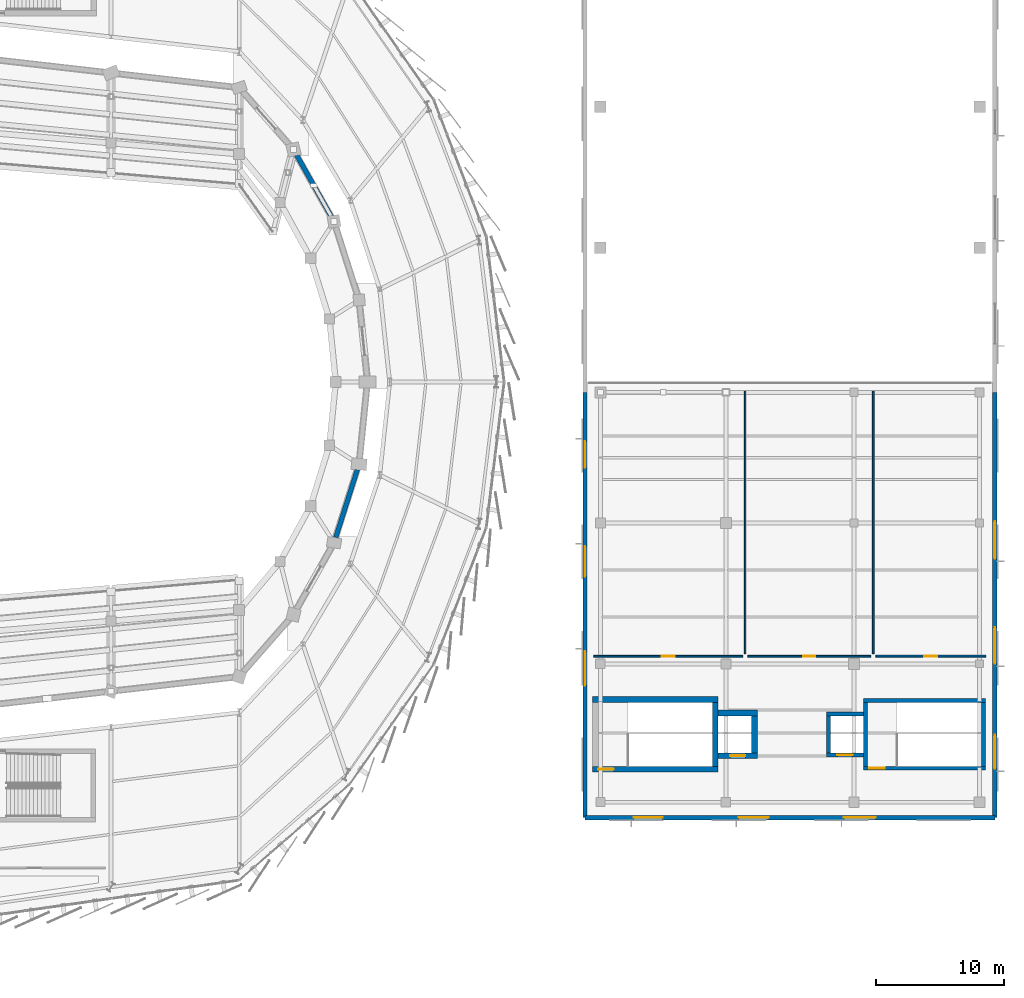
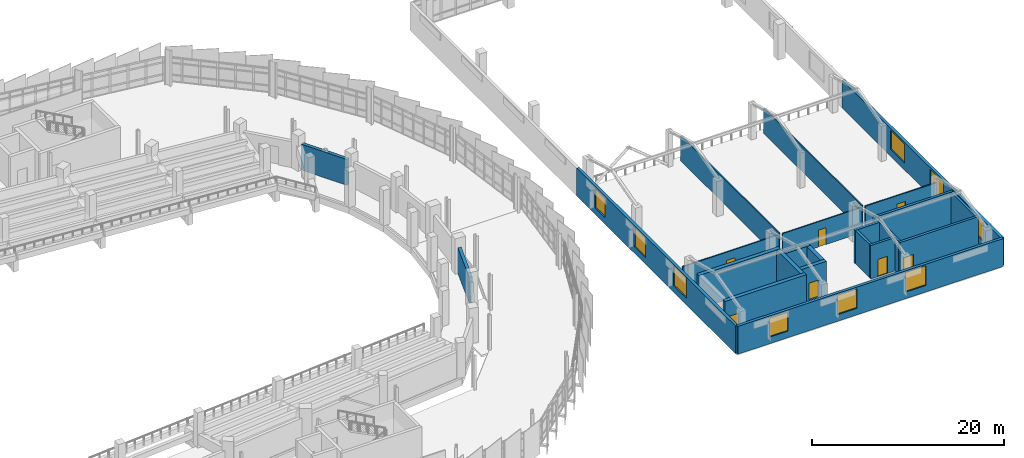
# One storey, part 104 of 120: 23 walls, 9 windows, 7 doors, 16 openings.
"""IFC4 building model written with IfcOpenShell, lengths in metres."""

from ifc_helpers import new_model, si_unit, direction, frame, frame_2d, origin, place, context, subcontext, project, spatial, rectangle, extrude, material, layer, layer_set, type_object, element, fill, save


model = new_model("IFC4")

# Units and contexts
model_context = context("Model", 3, precision=1e-05, world=origin(), true_north=direction((0.0, 1.0)))
body_context = subcontext(model_context, "Body", "Model", "MODEL_VIEW")
ifc_project = project(units=[si_unit("LENGTHUNIT", "METRE"), si_unit("AREAUNIT", "SQUARE_METRE"), si_unit("VOLUMEUNIT", "CUBIC_METRE"), si_unit("PLANEANGLEUNIT", "RADIAN"), si_unit("MASSUNIT", "GRAM", prefix="KILO")], contexts=[model_context])

# Site, building, storey
site_placement = place(None, origin())
site = spatial("IfcSite", under=ifc_project, at=site_placement, CompositionType="ELEMENT")
building_placement = place(site_placement, origin())
building = spatial("IfcBuilding", under=site, at=building_placement, Name="Sohan Crest Arena", CompositionType="ELEMENT")
storey_placement = place(building_placement, frame((0.0, 0.0, 13.5)))
storey = spatial("IfcBuildingStorey", under=building, at=storey_placement, Name="L03", CompositionType="ELEMENT", Elevation=13.5)

# Wall, openings, windows
ifc_material_1 = material(Name="Honed dark basalt stone cladding wall", Category="masonry")
ifc_layer_1 = layer(ifc_material_1, 0.340087890625, Name="Honed dark basalt stone cladding wall")
ifc_layer_set_1 = layer_set([ifc_layer_1], Name="Honed dark basalt stone cladding wall")
wall_type_1 = type_object("IfcWallType", Name="WAL-EW04", PredefinedType="SOLIDWALL", material=ifc_layer_set_1)
wall_1_placement = place(storey_placement, frame((195.0, 44.0, 0.0), z_axis=(0.0, 0.0, 1.0), x_axis=(1.0, 0.0, 0.0)))
wall_1 = element("IfcWall", 1, at=wall_1_placement, inside=storey, type_object=wall_type_1, Name="External wall EW-120", PredefinedType="SOLIDWALL", context=body_context, shape_type="SweptSolid", body=[
    extrude(rectangle(XDim=32.0, YDim=0.340087890625, at=frame_2d((16.0, 0.0))), origin(), (0.0, 0.0, 1.0), 3.550048828125),
])
opening_1_placement = place(wall_1_placement, frame((3.800048828125, 0.0, 0.85009765625)))
opening_1 = element("IfcOpeningElement", 2, at=opening_1_placement, cuts=wall_1, Name="Opening W-025", PredefinedType="OPENING", context=body_context, shape_type="SweptSolid", body=[
    extrude(rectangle(XDim=2.25, YDim=2.39990234375, at=frame_2d((1.125, 1.199951171875))), frame((0.0, 0.179931640625, 0.0), z_axis=(0.0, -1.0, 0.0), x_axis=(1.0, 0.0, 0.0)), (0.0, 0.0, 1.0), 0.360107421875),
])
opening_2_placement = place(wall_1_placement, frame((12.0, 0.0, 0.85009765625)))
opening_2 = element("IfcOpeningElement", 3, at=opening_2_placement, cuts=wall_1, Name="Opening W-026", PredefinedType="OPENING", context=body_context, shape_type="SweptSolid", body=[
    extrude(rectangle(XDim=2.35009765625, YDim=2.449951171875, at=frame_2d((1.175048828125, 1.22509765625))), frame((0.0, 0.179931640625, 0.0), z_axis=(0.0, -1.0, 0.0), x_axis=(1.0, 0.0, 0.0)), (0.0, 0.0, 1.0), 0.360107421875),
])
opening_3_placement = place(wall_1_placement, frame((20.199951171875, 0.0, 0.85009765625)))
opening_3 = element("IfcOpeningElement", 4, at=opening_3_placement, cuts=wall_1, Name="Opening W-027", PredefinedType="OPENING", context=body_context, shape_type="SweptSolid", body=[
    extrude(rectangle(XDim=2.5, YDim=2.5, at=frame_2d((1.25, 1.25))), frame((0.0, 0.179931640625, 0.0), z_axis=(0.0, -1.0, 0.0), x_axis=(1.0, 0.0, 0.0)), (0.0, 0.0, 1.0), 0.360107421875),
])
ifc_material_2 = material(Name="Low-E double-glazed insulated glass", Category="glass")
window_type_1 = type_object("IfcWindowType", Name="WIN-W25", PartitioningType="SINGLE_PANEL", PredefinedType="WINDOW", material=ifc_material_2)
window_1_placement = place(opening_1_placement, origin())
window_1 = element("IfcWindow", 5, at=window_1_placement, inside=storey, type_object=window_type_1, Name="Community wing window W-025", OverallHeight=2.39990234375, OverallWidth=2.25, PartitioningType="SINGLE_PANEL", PredefinedType="WINDOW", context=body_context, shape_type="SweptSolid", body=[
    extrude(rectangle(XDim=2.25, YDim=2.39990234375, at=frame_2d((1.125, 1.199951171875))), frame((0.0, 0.030029296875, 0.0), z_axis=(0.0, -1.0, 0.0), x_axis=(1.0, 0.0, 0.0)), (0.0, 0.0, 1.0), 0.06005859375),
])
fill(opening_1, window_1)
window_type_2 = type_object("IfcWindowType", Name="WIN-W26", PartitioningType="SINGLE_PANEL", PredefinedType="WINDOW", material=ifc_material_2)
window_2_placement = place(opening_2_placement, origin())
window_2 = element("IfcWindow", 6, at=window_2_placement, inside=storey, type_object=window_type_2, Name="Community wing window W-026", OverallHeight=2.449951171875, OverallWidth=2.35009765625, PartitioningType="SINGLE_PANEL", PredefinedType="WINDOW", context=body_context, shape_type="SweptSolid", body=[
    extrude(rectangle(XDim=2.35009765625, YDim=2.449951171875, at=frame_2d((1.175048828125, 1.22509765625))), frame((0.0, 0.030029296875, 0.0), z_axis=(0.0, -1.0, 0.0), x_axis=(1.0, 0.0, 0.0)), (0.0, 0.0, 1.0), 0.06005859375),
])
fill(opening_2, window_2)
window_type_3 = type_object("IfcWindowType", Name="WIN-W27", PartitioningType="SINGLE_PANEL", PredefinedType="WINDOW", material=ifc_material_2)
window_3_placement = place(opening_3_placement, origin())
window_3 = element("IfcWindow", 7, at=window_3_placement, inside=storey, type_object=window_type_3, Name="Community wing window W-027", OverallHeight=2.5, OverallWidth=2.5, PartitioningType="SINGLE_PANEL", PredefinedType="WINDOW", context=body_context, shape_type="SweptSolid", body=[
    extrude(rectangle(XDim=2.5, YDim=2.5, at=frame_2d((1.25, 1.25))), frame((0.0, 0.030029296875, 0.0), z_axis=(0.0, -1.0, 0.0), x_axis=(1.0, 0.0, 0.0)), (0.0, 0.0, 1.0), 0.06005859375),
])
fill(opening_3, window_3)

wall_2_placement = place(storey_placement, frame((227.0, 44.0, 0.0), z_axis=(0.0, 0.0, 1.0), x_axis=(0.0, 1.0, 0.0)))
wall_2 = element("IfcWall", 8, at=wall_2_placement, inside=storey, type_object=wall_type_1, Name="External wall EW-121", PredefinedType="SOLIDWALL", context=body_context, shape_type="SweptSolid", body=[
    extrude(rectangle(XDim=33.199951171875, YDim=0.340087890625, at=frame_2d((16.60009765625, 0.0))), origin(), (0.0, 0.0, 1.0), 3.550048828125),
])
opening_4_placement = place(wall_2_placement, frame((3.800048828125, 0.0, 0.85009765625)))
opening_4 = element("IfcOpeningElement", 9, at=opening_4_placement, cuts=wall_2, Name="Opening W-028", PredefinedType="OPENING", context=body_context, shape_type="SweptSolid", body=[
    extrude(rectangle(XDim=2.64990234375, YDim=2.550048828125, at=frame_2d((1.324951171875, 1.27490234375))), frame((0.0, 0.179931640625, 0.0), z_axis=(0.0, -1.0, 0.0), x_axis=(1.0, 0.0, 0.0)), (0.0, 0.0, 1.0), 0.360107421875),
])
opening_5_placement = place(wall_2_placement, frame((12.0, 0.0, 0.85009765625)))
opening_5 = element("IfcOpeningElement", 10, at=opening_5_placement, cuts=wall_2, Name="Opening W-029", PredefinedType="OPENING", context=body_context, shape_type="SweptSolid", body=[
    extrude(rectangle(XDim=2.85009765625, YDim=2.5, at=frame_2d((1.425048828125, 1.25))), frame((0.0, 0.179931640625, 0.0), z_axis=(0.0, -1.0, 0.0), x_axis=(1.0, 0.0, 0.0)), (0.0, 0.0, 1.0), 0.360107421875),
])
opening_6_placement = place(wall_2_placement, frame((20.199951171875, 0.0, 0.85009765625)))
opening_6 = element("IfcOpeningElement", 11, at=opening_6_placement, cuts=wall_2, Name="Opening W-030", PredefinedType="OPENING", context=body_context, shape_type="SweptSolid", body=[
    extrude(rectangle(XDim=2.949951171875, YDim=2.449951171875, at=frame_2d((1.47509765625, 1.22509765625))), frame((0.0, 0.179931640625, 0.0), z_axis=(0.0, -1.0, 0.0), x_axis=(1.0, 0.0, 0.0)), (0.0, 0.0, 1.0), 0.360107421875),
])
window_type_4 = type_object("IfcWindowType", Name="WIN-W28", PartitioningType="SINGLE_PANEL", PredefinedType="WINDOW", material=ifc_material_2)
window_4_placement = place(opening_4_placement, origin())
window_4 = element("IfcWindow", 12, at=window_4_placement, inside=storey, type_object=window_type_4, Name="Community wing window W-028", OverallHeight=2.550048828125, OverallWidth=2.64990234375, PartitioningType="SINGLE_PANEL", PredefinedType="WINDOW", context=body_context, shape_type="SweptSolid", body=[
    extrude(rectangle(XDim=2.64990234375, YDim=2.550048828125, at=frame_2d((1.324951171875, 1.27490234375))), frame((0.0, 0.030029296875, 0.0), z_axis=(0.0, -1.0, 0.0), x_axis=(1.0, 0.0, 0.0)), (0.0, 0.0, 1.0), 0.06005859375),
])
fill(opening_4, window_4)
window_type_5 = type_object("IfcWindowType", Name="WIN-W29", PartitioningType="SINGLE_PANEL", PredefinedType="WINDOW", material=ifc_material_2)
window_5_placement = place(opening_5_placement, origin())
window_5 = element("IfcWindow", 13, at=window_5_placement, inside=storey, type_object=window_type_5, Name="Community wing window W-029", OverallHeight=2.5, OverallWidth=2.85009765625, PartitioningType="SINGLE_PANEL", PredefinedType="WINDOW", context=body_context, shape_type="SweptSolid", body=[
    extrude(rectangle(XDim=2.85009765625, YDim=2.5, at=frame_2d((1.425048828125, 1.25))), frame((0.0, 0.030029296875, 0.0), z_axis=(0.0, -1.0, 0.0), x_axis=(1.0, 0.0, 0.0)), (0.0, 0.0, 1.0), 0.06005859375),
])
fill(opening_5, window_5)
window_type_6 = type_object("IfcWindowType", Name="WIN-W30", PartitioningType="SINGLE_PANEL", PredefinedType="WINDOW", material=ifc_material_2)
window_6_placement = place(opening_6_placement, origin())
window_6 = element("IfcWindow", 14, at=window_6_placement, inside=storey, type_object=window_type_6, Name="Community wing window W-030", OverallHeight=2.449951171875, OverallWidth=2.949951171875, PartitioningType="SINGLE_PANEL", PredefinedType="WINDOW", context=body_context, shape_type="SweptSolid", body=[
    extrude(rectangle(XDim=2.949951171875, YDim=2.449951171875, at=frame_2d((1.47509765625, 1.22509765625))), frame((0.0, 0.030029296875, 0.0), z_axis=(0.0, -1.0, 0.0), x_axis=(1.0, 0.0, 0.0)), (0.0, 0.0, 1.0), 0.06005859375),
])
fill(opening_6, window_6)

wall_3_placement = place(storey_placement, frame((195.0, 77.199951171875, 0.0), z_axis=(0.0, 0.0, 1.0), x_axis=(0.0, -1.0, 0.0)))
wall_3 = element("IfcWall", 15, at=wall_3_placement, inside=storey, type_object=wall_type_1, Name="External wall EW-124", PredefinedType="SOLIDWALL", context=body_context, shape_type="SweptSolid", body=[
    extrude(rectangle(XDim=33.199951171875, YDim=0.340087890625, at=frame_2d((16.60009765625, 0.0))), origin(), (0.0, 0.0, 1.0), 3.550048828125),
])
opening_7_placement = place(wall_3_placement, frame((3.800048828125, 0.0, 0.85009765625)))
opening_7 = element("IfcOpeningElement", 16, at=opening_7_placement, cuts=wall_3, Name="Opening W-034", PredefinedType="OPENING", context=body_context, shape_type="SweptSolid", body=[
    extrude(rectangle(XDim=2.10009765625, YDim=2.39990234375, at=frame_2d((1.050048828125, 1.199951171875))), frame((0.0, 0.179931640625, 0.0), z_axis=(0.0, -1.0, 0.0), x_axis=(1.0, 0.0, 0.0)), (0.0, 0.0, 1.0), 0.360107421875),
])
opening_8_placement = place(wall_3_placement, frame((12.0, 0.0, 0.85009765625)))
opening_8 = element("IfcOpeningElement", 17, at=opening_8_placement, cuts=wall_3, Name="Opening W-035", PredefinedType="OPENING", context=body_context, shape_type="SweptSolid", body=[
    extrude(rectangle(XDim=2.39990234375, YDim=2.60009765625, at=frame_2d((1.199951171875, 1.300048828125))), frame((0.0, 0.179931640625, 0.0), z_axis=(0.0, -1.0, 0.0), x_axis=(1.0, 0.0, 0.0)), (0.0, 0.0, 1.0), 0.360107421875),
])
opening_9_placement = place(wall_3_placement, frame((20.199951171875, 0.0, 0.85009765625)))
opening_9 = element("IfcOpeningElement", 18, at=opening_9_placement, cuts=wall_3, Name="Opening W-036", PredefinedType="OPENING", context=body_context, shape_type="SweptSolid", body=[
    extrude(rectangle(XDim=2.699951171875, YDim=2.60009765625, at=frame_2d((1.35009765625, 1.300048828125))), frame((0.0, 0.179931640625, 0.0), z_axis=(0.0, -1.0, 0.0), x_axis=(1.0, 0.0, 0.0)), (0.0, 0.0, 1.0), 0.360107421875),
])
window_type_7 = type_object("IfcWindowType", Name="WIN-W02", PartitioningType="SINGLE_PANEL", PredefinedType="WINDOW", material=ifc_material_2)
window_7_placement = place(opening_7_placement, origin())
window_7 = element("IfcWindow", 19, at=window_7_placement, inside=storey, type_object=window_type_7, Name="Community wing window W-034", OverallHeight=2.39990234375, OverallWidth=2.10009765625, PartitioningType="SINGLE_PANEL", PredefinedType="WINDOW", context=body_context, shape_type="SweptSolid", body=[
    extrude(rectangle(XDim=2.10009765625, YDim=2.39990234375, at=frame_2d((1.050048828125, 1.199951171875))), frame((0.0, 0.030029296875, 0.0), z_axis=(0.0, -1.0, 0.0), x_axis=(1.0, 0.0, 0.0)), (0.0, 0.0, 1.0), 0.06005859375),
])
fill(opening_7, window_7)
window_type_8 = type_object("IfcWindowType", Name="WIN-W03", PartitioningType="SINGLE_PANEL", PredefinedType="WINDOW", material=ifc_material_2)
window_8_placement = place(opening_8_placement, origin())
window_8 = element("IfcWindow", 20, at=window_8_placement, inside=storey, type_object=window_type_8, Name="Community wing window W-035", OverallHeight=2.60009765625, OverallWidth=2.39990234375, PartitioningType="SINGLE_PANEL", PredefinedType="WINDOW", context=body_context, shape_type="SweptSolid", body=[
    extrude(rectangle(XDim=2.39990234375, YDim=2.60009765625, at=frame_2d((1.199951171875, 1.300048828125))), frame((0.0, 0.030029296875, 0.0), z_axis=(0.0, -1.0, 0.0), x_axis=(1.0, 0.0, 0.0)), (0.0, 0.0, 1.0), 0.06005859375),
])
fill(opening_8, window_8)
window_type_9 = type_object("IfcWindowType", Name="WIN-W04", PartitioningType="SINGLE_PANEL", PredefinedType="WINDOW", material=ifc_material_2)
window_9_placement = place(opening_9_placement, origin())
window_9 = element("IfcWindow", 21, at=window_9_placement, inside=storey, type_object=window_type_9, Name="Community wing window W-036", OverallHeight=2.60009765625, OverallWidth=2.699951171875, PartitioningType="SINGLE_PANEL", PredefinedType="WINDOW", context=body_context, shape_type="SweptSolid", body=[
    extrude(rectangle(XDim=2.699951171875, YDim=2.60009765625, at=frame_2d((1.35009765625, 1.300048828125))), frame((0.0, 0.030029296875, 0.0), z_axis=(0.0, -1.0, 0.0), x_axis=(1.0, 0.0, 0.0)), (0.0, 0.0, 1.0), 0.06005859375),
])
fill(opening_9, window_9)

# Walls
ifc_material_3 = material(Name="Acoustic insulated bowl drum enclosure wall", Category="masonry")
ifc_layer_2 = layer(ifc_material_3, 0.3701171875, Name="Acoustic insulated bowl drum enclosure wall")
ifc_layer_set_2 = layer_set([ifc_layer_2], Name="Acoustic insulated bowl drum enclosure wall")
wall_type_2 = type_object("IfcWallType", Name="WAL-EW05", PredefinedType="SOLIDWALL", material=ifc_layer_set_2)
wall_4_placement = place(storey_placement, frame((175.5419921875, 65.8740234375, 0.0), z_axis=(0.0, 0.0, 1.0), x_axis=(0.30346633641, 0.952842160416, 0.0)))
element("IfcWall", 22, at=wall_4_placement, inside=storey, type_object=wall_type_2, Name="Acoustic bowl drum wall BW-L03-22", PredefinedType="SOLIDWALL", context=body_context, shape_type="SweptSolid", body=[
    extrude(rectangle(XDim=5.562255859375, YDim=0.3701171875, at=frame_2d((2.78125, 0.0))), origin(), (0.0, 0.0, 1.0), 3.300048828125),
])
wall_5_placement = place(storey_placement, frame((175.193115234375, 90.927978515625, 0.0), z_axis=(0.0, 0.0, 1.0), x_axis=(-0.491617455844, 0.870811275254, 0.0)))
element("IfcWall", 23, at=wall_5_placement, inside=storey, type_object=wall_type_2, Name="Acoustic bowl drum wall BW-L03-26", PredefinedType="SOLIDWALL", context=body_context, shape_type="SweptSolid", body=[
    extrude(rectangle(XDim=5.5615234375, YDim=0.3701171875, at=frame_2d((2.78076171875, 0.0))), origin(), (0.0, 0.0, 1.0), 3.300048828125),
])
ifc_material_4 = material(Name="Suite acoustic stud partition", Category="masonry")
ifc_layer_3 = layer(ifc_material_4, 0.135009765625, Name="Suite acoustic stud partition")
ifc_layer_set_3 = layer_set([ifc_layer_3], Name="Suite acoustic stud partition")
wall_type_3 = type_object("IfcWallType", Name="WAL-PW02", PredefinedType="PARTITIONING", material=ifc_layer_set_3)
for number, where, z_axis, x_axis, name in (
    (24, (207.5, 56.800048828125, 0.0), (0.0, 0.0, 1.0), (0.0, 1.0, 0.0), "Interior partition wall PW-0909"),
    (25, (217.5, 56.800048828125, 0.0), (0.0, 0.0, 1.0), (0.0, 1.0, 0.0), "Interior partition wall PW-0910"),
):
    element("IfcWall", number, at=place(storey_placement, frame(where, z_axis=z_axis, x_axis=x_axis)), inside=storey, type_object=wall_type_3, Name=name, PredefinedType="PARTITIONING", context=body_context, shape_type="SweptSolid", body=[
        extrude(rectangle(XDim=20.5, YDim=0.135009765625, at=frame_2d((10.25, 0.0))), origin(), (0.0, 0.0, 1.0), 3.219970703125),
    ])

# Wall, opening, door
wall_6_placement = place(storey_placement, frame((195.699951171875, 56.60009765625, 0.0), z_axis=(0.0, 0.0, 1.0), x_axis=(1.0, 0.0, 0.0)))
wall_6 = element("IfcWall", 26, at=wall_6_placement, inside=storey, type_object=wall_type_3, Name="Interior partition wall PW-0911", PredefinedType="PARTITIONING", context=body_context, shape_type="SweptSolid", body=[
    extrude(rectangle(XDim=11.60009765625, YDim=0.135009765625, at=frame_2d((5.800048828125, 0.0))), origin(), (0.0, 0.0, 1.0), 3.219970703125),
])
opening_10_placement = place(wall_6_placement, frame((5.2900390625, 0.0, 0.0)))
opening_10 = element("IfcOpeningElement", 27, at=opening_10_placement, cuts=wall_6, Name="Opening V4D-0271", PredefinedType="OPENING", context=body_context, shape_type="SweptSolid", body=[
    extrude(rectangle(XDim=1.02001953125, YDim=2.14990234375, at=frame_2d((0.510009765625, 1.074951171875))), frame((0.0, 0.077392578125, 0.0), z_axis=(0.0, -1.0, 0.0), x_axis=(1.0, 0.0, 0.0)), (0.0, 0.0, 1.0), 0.155029296875),
])
ifc_material_5 = material(Name="Accessible toilet and dressing room door", Category="wood")
door_type_1 = type_object("IfcDoorType", Name="DR-ID03", OperationType="NOTDEFINED", PredefinedType="DOOR", material=ifc_material_5)
door_1_placement = place(opening_10_placement, origin())
door_1 = element("IfcDoor", 28, at=door_1_placement, inside=storey, type_object=door_type_1, Name="Sports Medicine Seminar Room door V4D-0271", OperationType="SINGLE_SWING_RIGHT", OverallHeight=2.14990234375, OverallWidth=1.02001953125, PredefinedType="DOOR", context=body_context, shape_type="SweptSolid", body=[
    extrude(rectangle(XDim=1.02001953125, YDim=2.14990234375, at=frame_2d((0.510009765625, 1.074951171875))), frame((0.0, 0.02490234375, 0.0), z_axis=(0.0, -1.0, 0.0), x_axis=(1.0, 0.0, 0.0)), (0.0, 0.0, 1.0), 0.050048828125),
])
fill(opening_10, door_1)

wall_7_placement = place(storey_placement, frame((207.699951171875, 56.60009765625, 0.0), z_axis=(0.0, 0.0, 1.0), x_axis=(1.0, 0.0, 0.0)))
wall_7 = element("IfcWall", 29, at=wall_7_placement, inside=storey, type_object=wall_type_3, Name="Interior partition wall PW-0912", PredefinedType="PARTITIONING", context=body_context, shape_type="SweptSolid", body=[
    extrude(rectangle(XDim=9.60009765625, YDim=0.135009765625, at=frame_2d((4.800048828125, 0.0))), origin(), (0.0, 0.0, 1.0), 3.219970703125),
])
opening_11_placement = place(wall_7_placement, frame((4.320068359375, 0.0, 0.0)))
opening_11 = element("IfcOpeningElement", 30, at=opening_11_placement, cuts=wall_7, Name="Opening V4D-0272", PredefinedType="OPENING", context=body_context, shape_type="SweptSolid", body=[
    extrude(rectangle(XDim=0.9599609375, YDim=2.14990234375, at=frame_2d((0.47998046875, 1.074951171875))), frame((0.0, 0.077392578125, 0.0), z_axis=(0.0, -1.0, 0.0), x_axis=(1.0, 0.0, 0.0)), (0.0, 0.0, 1.0), 0.155029296875),
])
ifc_material_6 = material(Name="Hospitality suite and office timber door", Category="wood")
door_type_2 = type_object("IfcDoorType", Name="DR-ID04", OperationType="NOTDEFINED", PredefinedType="DOOR", material=ifc_material_6)
door_2_placement = place(opening_11_placement, origin())
door_2 = element("IfcDoor", 31, at=door_2_placement, inside=storey, type_object=door_type_2, Name="Coaching Analytics Lab door V4D-0272", OperationType="SINGLE_SWING_LEFT", OverallHeight=2.14990234375, OverallWidth=0.9599609375, PredefinedType="DOOR", context=body_context, shape_type="SweptSolid", body=[
    extrude(rectangle(XDim=0.9599609375, YDim=2.14990234375, at=frame_2d((0.47998046875, 1.074951171875))), frame((0.0, 0.02490234375, 0.0), z_axis=(0.0, -1.0, 0.0), x_axis=(1.0, 0.0, 0.0)), (0.0, 0.0, 1.0), 0.050048828125),
])
fill(opening_11, door_2)

ifc_material_7 = material(Name="Wet-area moisture-resistant masonry partition", Category="masonry")
ifc_layer_4 = layer(ifc_material_7, 0.14990234375, Name="Wet-area moisture-resistant masonry partition")
ifc_layer_set_4 = layer_set([ifc_layer_4], Name="Wet-area moisture-resistant masonry partition")
wall_type_4 = type_object("IfcWallType", Name="WAL-PW03", PredefinedType="PARTITIONING", material=ifc_layer_set_4)
wall_8_placement = place(storey_placement, frame((217.699951171875, 56.60009765625, 0.0), z_axis=(0.0, 0.0, 1.0), x_axis=(1.0, 0.0, 0.0)))
wall_8 = element("IfcWall", 32, at=wall_8_placement, inside=storey, type_object=wall_type_4, Name="Interior partition wall PW-0913", PredefinedType="PARTITIONING", context=body_context, shape_type="SweptSolid", body=[
    extrude(rectangle(XDim=8.60009765625, YDim=0.14990234375, at=frame_2d((4.300048828125, 0.0))), origin(), (0.0, 0.0, 1.0), 3.219970703125),
])
opening_12_placement = place(wall_8_placement, frame((3.7900390625, 0.0, 0.0)))
opening_12 = element("IfcOpeningElement", 33, at=opening_12_placement, cuts=wall_8, Name="Opening WC-0273", PredefinedType="OPENING", context=body_context, shape_type="SweptSolid", body=[
    extrude(rectangle(XDim=1.02001953125, YDim=2.14990234375, at=frame_2d((0.510009765625, 1.074951171875))), frame((0.0, 0.0849609375, 0.0), z_axis=(0.0, -1.0, 0.0), x_axis=(1.0, 0.0, 0.0)), (0.0, 0.0, 1.0), 0.169921875),
])
door_3_placement = place(opening_12_placement, origin())
door_3 = element("IfcDoor", 34, at=door_3_placement, inside=storey, type_object=door_type_1, Name="Community Accessible WC L03 door WC-0273", OperationType="SINGLE_SWING_RIGHT", OverallHeight=2.14990234375, OverallWidth=1.02001953125, PredefinedType="DOOR", context=body_context, shape_type="SweptSolid", body=[
    extrude(rectangle(XDim=1.02001953125, YDim=2.14990234375, at=frame_2d((0.510009765625, 1.074951171875))), frame((0.0, 0.02490234375, 0.0), z_axis=(0.0, -1.0, 0.0), x_axis=(1.0, 0.0, 0.0)), (0.0, 0.0, 1.0), 0.050048828125),
])
fill(opening_12, door_3)

# Walls
ifc_material_8 = material(Name="Concrete C40/50", Category="concrete")
ifc_layer_5 = layer(ifc_material_8, 0.300048828125, Name="Concrete C40/50")
ifc_layer_set_5 = layer_set([ifc_layer_5], Name="Concrete C40/50")
wall_type_5 = type_object("IfcWallType", Name="WAL-SW01", PredefinedType="SHEAR", material=ifc_layer_set_5)
for number, where, z_axis, x_axis, name in (
    (35, (216.89990234375, 48.0, 0.0), (0.0, 0.0, 1.0), (0.0, 1.0, 0.0), "Core shear wall SW-0642"),
    (36, (226.10009765625, 48.0, 0.0), (0.0, 0.0, 1.0), (0.0, 1.0, 0.0), "Core shear wall SW-0643"),
):
    element("IfcWall", number, at=place(storey_placement, frame(where, z_axis=z_axis, x_axis=x_axis)), inside=storey, type_object=wall_type_5, Name=name, PredefinedType="SHEAR", context=body_context, shape_type="SweptSolid", body=[
        extrude(rectangle(XDim=5.0, YDim=0.300048828125, at=frame_2d((2.5, 0.0))), origin(), (0.0, 0.0, 1.0), 4.260009765625),
    ])

# Wall, opening, door
wall_9_placement = place(storey_placement, frame((216.75, 47.85009765625, 0.0), z_axis=(0.0, 0.0, 1.0), x_axis=(1.0, 0.0, 0.0)))
wall_9 = element("IfcWall", 37, at=wall_9_placement, inside=storey, type_object=wall_type_5, Name="Core shear wall SW-0644", PredefinedType="SHEAR", context=body_context, shape_type="SweptSolid", body=[
    extrude(rectangle(XDim=9.5, YDim=0.300048828125, at=frame_2d((4.75, 0.0))), origin(), (0.0, 0.0, 1.0), 4.260009765625),
])
opening_13_placement = place(wall_9_placement, frame((0.449951171875, 0.0, 0.0)))
opening_13 = element("IfcOpeningElement", 38, at=opening_13_placement, cuts=wall_9, Name="Opening SD-0173", PredefinedType="OPENING", context=body_context, shape_type="SweptSolid", body=[
    extrude(rectangle(XDim=1.199951171875, YDim=2.199951171875, at=frame_2d((0.60009765625, 1.10009765625))), frame((0.0, 0.159912109375, 0.0), z_axis=(0.0, -1.0, 0.0), x_axis=(1.0, 0.0, 0.0)), (0.0, 0.0, 1.0), 0.320068359375),
])
ifc_material_9 = material(Name="Fire-rated steel stair and lobby door", Category="steel")
door_type_3 = type_object("IfcDoorType", Name="DR-FD04", OperationType="NOTDEFINED", PredefinedType="DOOR", material=ifc_material_9)
door_4_placement = place(opening_13_placement, frame((1.199951171875, 0.0, 0.0), z_axis=(0.0, 0.0, 1.0), x_axis=(-1.0, 0.0, 0.0)))
door_4 = element("IfcDoor", 39, at=door_4_placement, inside=storey, type_object=door_type_3, Name="Protected stair door SD-0173", OperationType="SINGLE_SWING_RIGHT", OverallHeight=2.199951171875, OverallWidth=1.199951171875, PredefinedType="DOOR", context=body_context, shape_type="SweptSolid", body=[
    extrude(rectangle(XDim=1.199951171875, YDim=2.199951171875, at=frame_2d((0.60009765625, 1.10009765625))), frame((0.0, 0.02490234375, 0.0), z_axis=(0.0, -1.0, 0.0), x_axis=(1.0, 0.0, 0.0)), (0.0, 0.0, 1.0), 0.050048828125),
])
fill(opening_13, door_4)

# Walls
wall_10_placement = place(storey_placement, frame((216.75, 53.14990234375, 0.0), z_axis=(0.0, 0.0, 1.0), x_axis=(1.0, 0.0, 0.0)))
element("IfcWall", 40, at=wall_10_placement, inside=storey, type_object=wall_type_5, Name="Core shear wall SW-0645", PredefinedType="SHEAR", context=body_context, shape_type="SweptSolid", body=[
    extrude(rectangle(XDim=9.5, YDim=0.300048828125, at=frame_2d((4.75, 0.0))), origin(), (0.0, 0.0, 1.0), 4.260009765625),
])
wall_11_placement = place(storey_placement, frame((214.0, 49.050048828125, 0.0), z_axis=(0.0, 0.0, 1.0), x_axis=(0.0, 1.0, 0.0)))
element("IfcWall", 41, at=wall_11_placement, inside=storey, type_object=wall_type_5, Name="Core shear wall SW-0646", PredefinedType="SHEAR", context=body_context, shape_type="SweptSolid", body=[
    extrude(rectangle(XDim=2.89990234375, YDim=0.300048828125, at=frame_2d((1.449951171875, 0.0))), origin(), (0.0, 0.0, 1.0), 4.260009765625),
])

# Wall, opening, door
wall_12_placement = place(storey_placement, frame((213.85009765625, 48.89990234375, 0.0), z_axis=(0.0, 0.0, 1.0), x_axis=(1.0, 0.0, 0.0)))
wall_12 = element("IfcWall", 42, at=wall_12_placement, inside=storey, type_object=wall_type_5, Name="Core shear wall SW-0647", PredefinedType="SHEAR", context=body_context, shape_type="SweptSolid", body=[
    extrude(rectangle(XDim=2.89990234375, YDim=0.300048828125, at=frame_2d((1.449951171875, 0.0))), origin(), (0.0, 0.0, 1.0), 4.260009765625),
])
opening_14_placement = place(wall_12_placement, frame((0.85009765625, 0.0, 0.0)))
opening_14 = element("IfcOpeningElement", 43, at=opening_14_placement, cuts=wall_12, Name="Opening LD-LP12-L03", PredefinedType="OPENING", context=body_context, shape_type="SweptSolid", body=[
    extrude(rectangle(XDim=1.199951171875, YDim=2.199951171875, at=frame_2d((0.60009765625, 1.10009765625))), frame((0.0, 0.159912109375, 0.0), z_axis=(0.0, -1.0, 0.0), x_axis=(1.0, 0.0, 0.0)), (0.0, 0.0, 1.0), 0.320068359375),
])
ifc_material_10 = material(Name="Stainless steel passenger lift landing door", Category="steel")
door_type_4 = type_object("IfcDoorType", Name="DR-LD02", OperationType="SLIDING_TO_LEFT", PredefinedType="DOOR", material=ifc_material_10)
door_5_placement = place(opening_14_placement, origin())
door_5 = element("IfcDoor", 44, at=door_5_placement, inside=storey, type_object=door_type_4, Name="Sliding lift landing door LD-LP12-L03", OperationType="SLIDING_TO_LEFT", OverallHeight=2.199951171875, OverallWidth=1.199951171875, PredefinedType="DOOR", context=body_context, shape_type="SweptSolid", body=[
    extrude(rectangle(XDim=1.199951171875, YDim=2.199951171875, at=frame_2d((0.60009765625, 1.10009765625))), frame((0.0, 0.02490234375, 0.0), z_axis=(0.0, -1.0, 0.0), x_axis=(1.0, 0.0, 0.0)), (0.0, 0.0, 1.0), 0.050048828125),
])
fill(opening_14, door_5)

# Walls
wall_13_placement = place(storey_placement, frame((213.85009765625, 52.10009765625, 0.0), z_axis=(0.0, 0.0, 1.0), x_axis=(1.0, 0.0, 0.0)))
element("IfcWall", 45, at=wall_13_placement, inside=storey, type_object=wall_type_5, Name="Core shear wall SW-0648", PredefinedType="SHEAR", context=body_context, shape_type="SweptSolid", body=[
    extrude(rectangle(XDim=2.89990234375, YDim=0.300048828125, at=frame_2d((1.449951171875, 0.0))), origin(), (0.0, 0.0, 1.0), 4.260009765625),
])
ifc_layer_6 = layer(ifc_material_8, 0.449951171875, Name="Concrete C40/50")
ifc_layer_set_6 = layer_set([ifc_layer_6], Name="Concrete C40/50")
wall_type_6 = type_object("IfcWallType", Name="WAL-SW04", PredefinedType="SHEAR", material=ifc_layer_set_6)
wall_14_placement = place(storey_placement, frame((205.175048828125, 48.0, 0.0), z_axis=(0.0, 0.0, 1.0), x_axis=(0.0, 1.0, 0.0)))
element("IfcWall", 46, at=wall_14_placement, inside=storey, type_object=wall_type_6, Name="Core shear wall SW-0611", PredefinedType="SHEAR", context=body_context, shape_type="SweptSolid", body=[
    extrude(rectangle(XDim=5.0, YDim=0.449951171875, at=frame_2d((2.5, 0.0))), origin(), (0.0, 0.0, 1.0), 4.260009765625),
])

# Wall, opening, door
wall_15_placement = place(storey_placement, frame((195.60009765625, 47.77490234375, 0.0), z_axis=(0.0, 0.0, 1.0), x_axis=(1.0, 0.0, 0.0)))
wall_15 = element("IfcWall", 47, at=wall_15_placement, inside=storey, type_object=wall_type_6, Name="Core shear wall SW-0612", PredefinedType="SHEAR", context=body_context, shape_type="SweptSolid", body=[
    extrude(rectangle(XDim=9.7998046875, YDim=0.449951171875, at=frame_2d((4.89990234375, 0.0))), origin(), (0.0, 0.0, 1.0), 4.260009765625),
])
opening_15_placement = place(wall_15_placement, frame((0.449951171875, 0.0, 0.0)))
opening_15 = element("IfcOpeningElement", 48, at=opening_15_placement, cuts=wall_15, Name="Opening SD-0165", PredefinedType="OPENING", context=body_context, shape_type="SweptSolid", body=[
    extrude(rectangle(XDim=1.199951171875, YDim=2.199951171875, at=frame_2d((0.60009765625, 1.10009765625))), frame((0.0, 0.23486328125, 0.0), z_axis=(0.0, -1.0, 0.0), x_axis=(1.0, 0.0, 0.0)), (0.0, 0.0, 1.0), 0.469970703125),
])
door_6_placement = place(opening_15_placement, frame((1.199951171875, 0.0, 0.0), z_axis=(0.0, 0.0, 1.0), x_axis=(-1.0, 0.0, 0.0)))
door_6 = element("IfcDoor", 49, at=door_6_placement, inside=storey, type_object=door_type_3, Name="Protected stair door SD-0165", OperationType="SINGLE_SWING_RIGHT", OverallHeight=2.199951171875, OverallWidth=1.199951171875, PredefinedType="DOOR", context=body_context, shape_type="SweptSolid", body=[
    extrude(rectangle(XDim=1.199951171875, YDim=2.199951171875, at=frame_2d((0.60009765625, 1.10009765625))), frame((0.0, 0.02490234375, 0.0), z_axis=(0.0, -1.0, 0.0), x_axis=(1.0, 0.0, 0.0)), (0.0, 0.0, 1.0), 0.050048828125),
])
fill(opening_15, door_6)

# Walls
wall_16_placement = place(storey_placement, frame((195.60009765625, 53.22509765625, 0.0), z_axis=(0.0, 0.0, 1.0), x_axis=(1.0, 0.0, 0.0)))
element("IfcWall", 50, at=wall_16_placement, inside=storey, type_object=wall_type_6, Name="Core shear wall SW-0613", PredefinedType="SHEAR", context=body_context, shape_type="SweptSolid", body=[
    extrude(rectangle(XDim=9.7998046875, YDim=0.449951171875, at=frame_2d((4.89990234375, 0.0))), origin(), (0.0, 0.0, 1.0), 4.260009765625),
])
wall_17_placement = place(storey_placement, frame((208.22509765625, 49.050048828125, 0.0), z_axis=(0.0, 0.0, 1.0), x_axis=(0.0, 1.0, 0.0)))
element("IfcWall", 51, at=wall_17_placement, inside=storey, type_object=wall_type_6, Name="Core shear wall SW-0614", PredefinedType="SHEAR", context=body_context, shape_type="SweptSolid", body=[
    extrude(rectangle(XDim=2.89990234375, YDim=0.449951171875, at=frame_2d((1.449951171875, 0.0))), origin(), (0.0, 0.0, 1.0), 4.260009765625),
])

# Wall, opening, door
wall_18_placement = place(storey_placement, frame((205.39990234375, 48.824951171875, 0.0), z_axis=(0.0, 0.0, 1.0), x_axis=(1.0, 0.0, 0.0)))
wall_18 = element("IfcWall", 52, at=wall_18_placement, inside=storey, type_object=wall_type_6, Name="Core shear wall SW-0615", PredefinedType="SHEAR", context=body_context, shape_type="SweptSolid", body=[
    extrude(rectangle(XDim=3.050048828125, YDim=0.449951171875, at=frame_2d((1.52490234375, 0.0))), origin(), (0.0, 0.0, 1.0), 4.260009765625),
])
opening_16_placement = place(wall_18_placement, frame((0.925048828125, 0.0, 0.0)))
opening_16 = element("IfcOpeningElement", 53, at=opening_16_placement, cuts=wall_18, Name="Opening LD-LP11-L03", PredefinedType="OPENING", context=body_context, shape_type="SweptSolid", body=[
    extrude(rectangle(XDim=1.199951171875, YDim=2.199951171875, at=frame_2d((0.60009765625, 1.10009765625))), frame((0.0, 0.23486328125, 0.0), z_axis=(0.0, -1.0, 0.0), x_axis=(1.0, 0.0, 0.0)), (0.0, 0.0, 1.0), 0.469970703125),
])
door_7_placement = place(opening_16_placement, origin())
door_7 = element("IfcDoor", 54, at=door_7_placement, inside=storey, type_object=door_type_4, Name="Sliding lift landing door LD-LP11-L03", OperationType="SLIDING_TO_LEFT", OverallHeight=2.199951171875, OverallWidth=1.199951171875, PredefinedType="DOOR", context=body_context, shape_type="SweptSolid", body=[
    extrude(rectangle(XDim=1.199951171875, YDim=2.199951171875, at=frame_2d((0.60009765625, 1.10009765625))), frame((0.0, 0.02490234375, 0.0), z_axis=(0.0, -1.0, 0.0), x_axis=(1.0, 0.0, 0.0)), (0.0, 0.0, 1.0), 0.050048828125),
])
fill(opening_16, door_7)

# Wall
wall_19_placement = place(storey_placement, frame((205.39990234375, 52.175048828125, 0.0), z_axis=(0.0, 0.0, 1.0), x_axis=(1.0, 0.0, 0.0)))
element("IfcWall", 55, at=wall_19_placement, inside=storey, type_object=wall_type_6, Name="Core shear wall SW-0616", PredefinedType="SHEAR", context=body_context, shape_type="SweptSolid", body=[
    extrude(rectangle(XDim=3.050048828125, YDim=0.449951171875, at=frame_2d((1.52490234375, 0.0))), origin(), (0.0, 0.0, 1.0), 4.260009765625),
])

save(model, "model.ifc")
